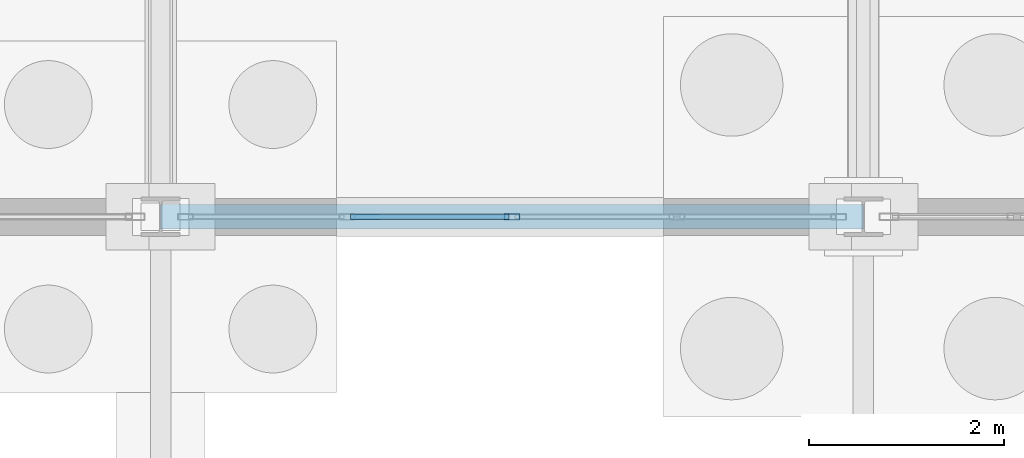
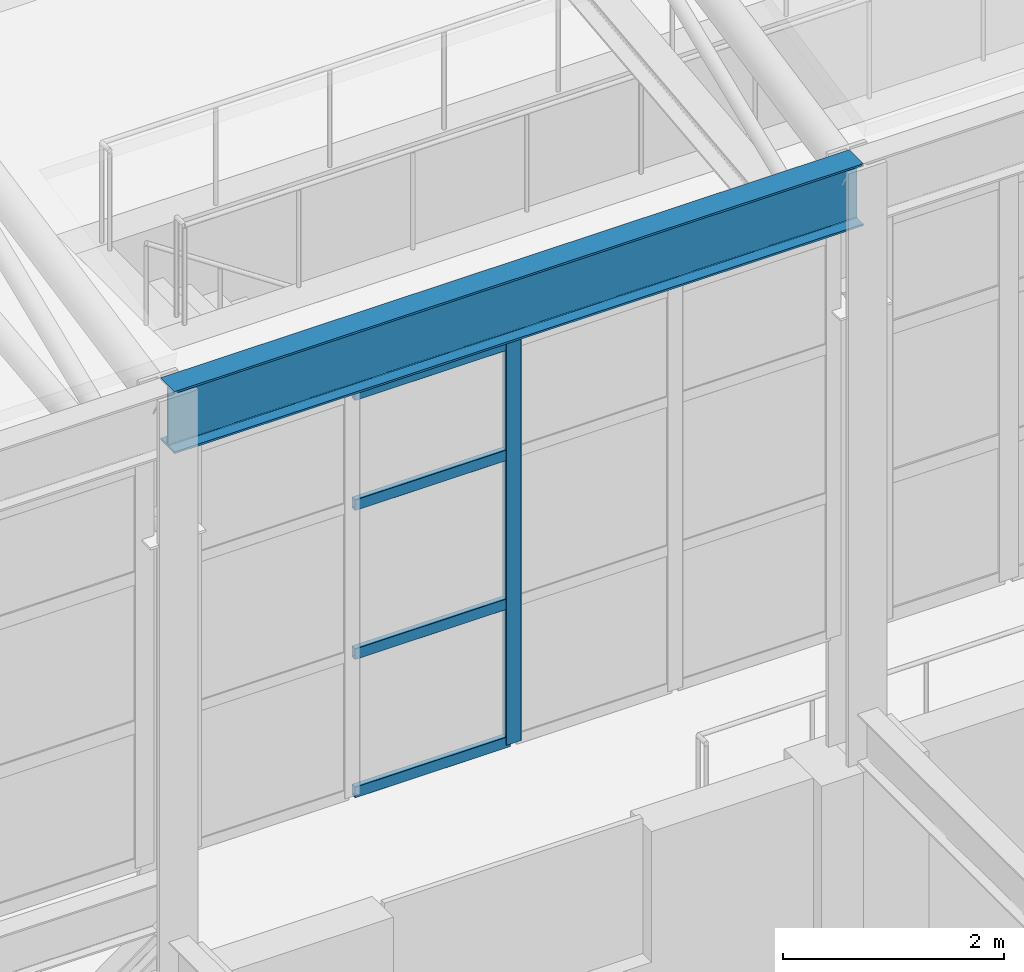
# One storey, part 107 of 293: 5 members, 1 beam, 1 element without a shape of its own.
"""IFC4 building model written with IfcOpenShell, lengths in metres."""

from ifc_helpers import new_model, si_unit, direction, frame, origin, origin_2d, place, context, subcontext, project, spatial, hollow_rectangle, i_section, extrude, material, layer, layer_set, material_profile, profile_set, type_object, element, aggregate, save


model = new_model("IFC4")

# Units and contexts
model_context = context("Model", 3, precision=1e-05, world=origin(), true_north=direction((0.0, 1.0)))
body_context = subcontext(model_context, "Body", "Model", "MODEL_VIEW")
ifc_project = project(units=[si_unit("LENGTHUNIT", "METRE"), si_unit("AREAUNIT", "SQUARE_METRE"), si_unit("VOLUMEUNIT", "CUBIC_METRE"), si_unit("PLANEANGLEUNIT", "RADIAN"), si_unit("MASSUNIT", "GRAM", prefix="KILO")], contexts=[model_context])

# Site, building, storey
site_placement = place(None, origin())
site = spatial("IfcSite", under=ifc_project, at=site_placement, CompositionType="ELEMENT")
building_placement = place(site_placement, origin())
building = spatial("IfcBuilding", under=site, at=building_placement, Name="Kemerveld Promenade Tramway Depot", CompositionType="ELEMENT")
storey_placement = place(building_placement, origin())
storey = spatial("IfcBuildingStorey", under=building, at=storey_placement, Name="L00", CompositionType="ELEMENT", Elevation=0.0)

# Beam
ifc_material_1 = material(Name="Steel S355", Category="steel")
ifc_material_profile_1 = material_profile(ifc_material_1, i_section(OverallWidth=0.25439453125, OverallDepth=0.6875, WebThickness=0.01318359375, FlangeThickness=0.02099609375, FilletRadius=0.01513671875, at=origin_2d()), Name="686x254x152 UB")
ifc_profile_set_1 = profile_set([ifc_material_profile_1], Name="Steel S355")
beam_type = type_object("IfcBeamType", Name="BM-G03", PredefinedType="BEAM", material=ifc_profile_set_1)
beam_placement = place(storey_placement, frame((43.199951171875, 84.0, 11.056396484375), z_axis=(1.0, 0.0, 0.0), x_axis=(0.0, 1.0, 0.0)))
element("IfcBeam", 1, at=beam_placement, inside=storey, type_object=beam_type, Name="BM-SHED-EAVE-N-07", PredefinedType="BEAM", context=body_context, shape_type="SweptSolid", body=[
    extrude(i_section(OverallWidth=0.25439453125, OverallDepth=0.6875, WebThickness=0.01318359375, FlangeThickness=0.02099609375, FilletRadius=0.01513671875, at=origin_2d()), origin(), (0.0, 0.0, 1.0), 7.199951171875),
])

# Curtain wall, members
ifc_material_2 = material(Name="Bronze anodised aluminium and solar glass", Category="aluminium")
ifc_layer = layer(ifc_material_2, 0.159912109375)
ifc_layer_set = layer_set([ifc_layer], Name="CW-SYS-05")
curtain_wall_type = type_object("IfcCurtainWallType", Name="CW-SYS-05", PredefinedType="USERDEFINED", material=ifc_layer_set)
curtain_wall_placement = place(storey_placement, origin())
curtain_wall = element("IfcCurtainWall", 2, at=curtain_wall_placement, inside=storey, type_object=curtain_wall_type, Name="CW-V1-S-02", ObjectType="GLAZED_CURTAIN_WALL", PredefinedType="USERDEFINED")
ifc_material_3 = material(Name="Bronze anodised aluminium", Category="aluminium")
ifc_material_profile_2 = material_profile(ifc_material_3, hollow_rectangle(XDim=0.06494140625, YDim=0.159912109375, WallThickness=0.00390625, InnerFilletRadius=0.001953125, OuterFilletRadius=0.00390625, at=origin_2d()), Name="CW-MUL-160x65")
ifc_profile_set_2 = profile_set([ifc_material_profile_2], Name="Bronze anodised aluminium")
member_type_1 = type_object("IfcMemberType", Name="CW-MUL-A", PredefinedType="MULLION", material=ifc_profile_set_2)
member_1_placement = place(storey_placement, frame((46.800048828125, 84.0, 6.199951171875), z_axis=(0.0, 0.0, 1.0), x_axis=(0.0, -1.0, 0.0)))
member_1 = element("IfcMember", 3, at=member_1_placement, type_object=member_type_1, Name="CW05 mullion 3", PredefinedType="MULLION", context=body_context, shape_type="SweptSolid", body=[
    extrude(hollow_rectangle(XDim=0.06494140625, YDim=0.159912109375, WallThickness=0.00390625, InnerFilletRadius=0.001953125, OuterFilletRadius=0.00390625, at=origin_2d()), origin(), (0.0, 0.0, 1.0), 4.449951171875),
])
ifc_material_profile_3 = material_profile(ifc_material_3, hollow_rectangle(XDim=0.06005859375, YDim=0.1201171875, WallThickness=0.00390625, InnerFilletRadius=0.001953125, OuterFilletRadius=0.00390625, at=origin_2d()), Name="CW-TRN-120x60")
ifc_profile_set_3 = profile_set([ifc_material_profile_3], Name="Bronze anodised aluminium")
member_type_2 = type_object("IfcMemberType", Name="CW-TRN-A", PredefinedType="USERDEFINED", material=ifc_profile_set_3)
member_2_placement = place(storey_placement, frame((46.767578125, 84.0, 6.22998046875), z_axis=(-1.0, 0.0, 0.0), x_axis=(0.0, -1.0, 0.0)))
member_2 = element("IfcMember", 4, at=member_2_placement, type_object=member_type_2, Name="CW05 transom 3.1", ObjectType="TRANSOM", PredefinedType="USERDEFINED", context=body_context, shape_type="SweptSolid", body=[
    extrude(hollow_rectangle(XDim=0.06005859375, YDim=0.1201171875, WallThickness=0.00390625, InnerFilletRadius=0.001953125, OuterFilletRadius=0.00390625, at=origin_2d()), origin(), (0.0, 0.0, 1.0), 1.62353515625),
])
member_3_placement = place(storey_placement, frame((46.767578125, 84.0, 7.758056640625), z_axis=(-1.0, 0.0, 0.0), x_axis=(0.0, -1.0, 0.0)))
member_3 = element("IfcMember", 5, at=member_3_placement, type_object=member_type_2, Name="CW05 transom 3.2", ObjectType="TRANSOM", PredefinedType="USERDEFINED", context=body_context, shape_type="SweptSolid", body=[
    extrude(hollow_rectangle(XDim=0.06005859375, YDim=0.1201171875, WallThickness=0.00390625, InnerFilletRadius=0.001953125, OuterFilletRadius=0.00390625, at=origin_2d()), origin(), (0.0, 0.0, 1.0), 1.62353515625),
])
member_4_placement = place(storey_placement, frame((46.767578125, 84.0, 9.404052734375), z_axis=(-1.0, 0.0, 0.0), x_axis=(0.0, -1.0, 0.0)))
member_4 = element("IfcMember", 6, at=member_4_placement, type_object=member_type_2, Name="CW05 transom 3.3", ObjectType="TRANSOM", PredefinedType="USERDEFINED", context=body_context, shape_type="SweptSolid", body=[
    extrude(hollow_rectangle(XDim=0.06005859375, YDim=0.1201171875, WallThickness=0.00390625, InnerFilletRadius=0.001953125, OuterFilletRadius=0.00390625, at=origin_2d()), origin(), (0.0, 0.0, 1.0), 1.62353515625),
])
member_5_placement = place(storey_placement, frame((46.767578125, 84.0, 10.6201171875), z_axis=(-1.0, 0.0, 0.0), x_axis=(0.0, -1.0, 0.0)))
member_5 = element("IfcMember", 7, at=member_5_placement, type_object=member_type_2, Name="CW05 transom 3.4", ObjectType="TRANSOM", PredefinedType="USERDEFINED", context=body_context, shape_type="SweptSolid", body=[
    extrude(hollow_rectangle(XDim=0.06005859375, YDim=0.1201171875, WallThickness=0.00390625, InnerFilletRadius=0.001953125, OuterFilletRadius=0.00390625, at=origin_2d()), origin(), (0.0, 0.0, 1.0), 1.62353515625),
])
aggregate(curtain_wall, [member_1, member_2, member_3, member_4, member_5])

save(model, "model.ifc")
